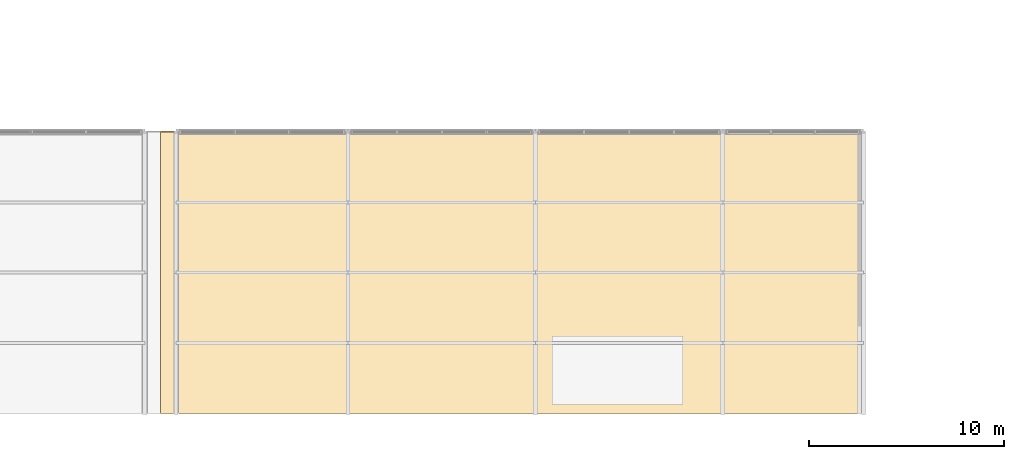
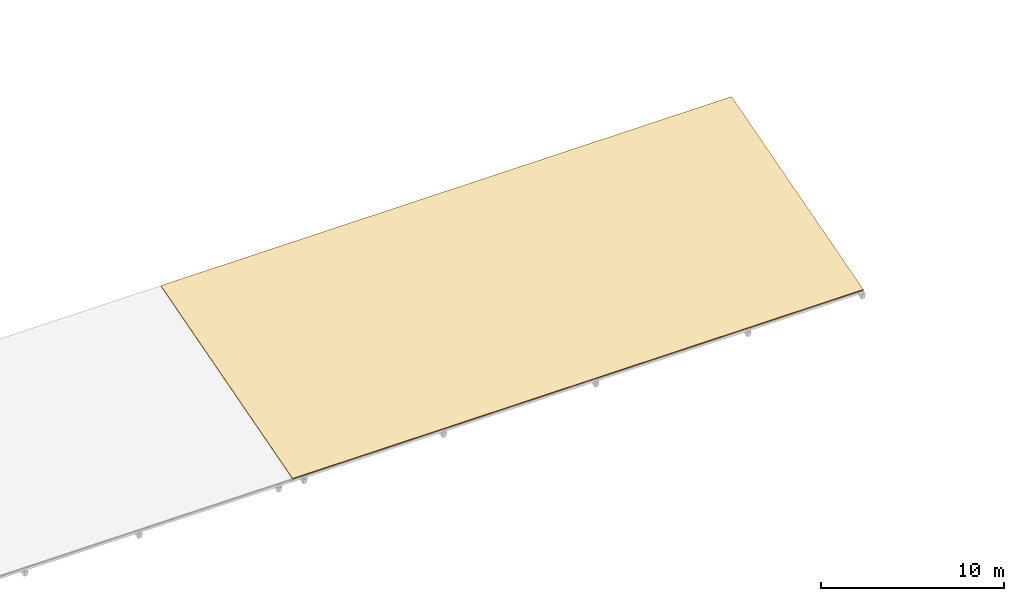
# One storey, part 32 of 32: 1 covering.
"""IFC4 building model written with IfcOpenShell, lengths in metres."""

from ifc_helpers import new_model, si_unit, direction, frame, origin, place, context, subcontext, project, spatial, polyline, outline, extrude, material, layer, layer_set, type_object, element, save


model = new_model("IFC4")

# Units and contexts
model_context = context("Model", 3, precision=1e-05, world=origin(), true_north=direction((0.0, 1.0)))
body_context = subcontext(model_context, "Body", "Model", "MODEL_VIEW")
ifc_project = project(units=[si_unit("LENGTHUNIT", "METRE"), si_unit("AREAUNIT", "SQUARE_METRE"), si_unit("VOLUMEUNIT", "CUBIC_METRE"), si_unit("PLANEANGLEUNIT", "RADIAN"), si_unit("MASSUNIT", "GRAM", prefix="KILO")], contexts=[model_context])

# Site, building, storey
site_placement = place(None, origin())
site = spatial("IfcSite", under=ifc_project, at=site_placement, CompositionType="ELEMENT")
building_placement = place(site_placement, origin())
building = spatial("IfcBuilding", under=site, at=building_placement, Name="Hawrajan Terrace Health Centre", CompositionType="ELEMENT")
storey_placement = place(building_placement, frame((0.0, 0.0, 17.39990234375)))
storey = spatial("IfcBuildingStorey", under=building, at=storey_placement, Name="L04", CompositionType="ELEMENT", Elevation=17.39990234375)

# Covering
ifc_material = material(Name="Standing-seam zinc roofing and PIR insulation")
ifc_layer = layer(ifc_material, 0.0849609375)
ifc_layer_set = layer_set([ifc_layer], Name="Standing-seam zinc roofing and PIR insulation")
covering_type = type_object("IfcCoveringType", Name="StandingSeamZinc_Roofing", PredefinedType="ROOFING", material=ifc_layer_set)
covering_placement = place(storey_placement, frame((71.804931640625, 4.199951171875, 0.085205078125), z_axis=(0.0, -0.275620744215, 0.961266459083), x_axis=(1.0, 0.0, 0.0)))
element("IfcCovering", 1, at=covering_placement, inside=storey, type_object=covering_type, Name="North-light standing-seam roof C", PredefinedType="ROOFING", context=body_context, shape_type="SweptSolid", body=[
    extrude(outline(polyline([(0.0, 0.0), (35.9951171875, 0.0), (35.9951171875, 14.980390034733635), (0.0, 14.980390034733635), (0.0, 0.0)])), origin(), (0.0, 0.0, -1.0), 0.0849609375),
])

save(model, "model.ifc")
